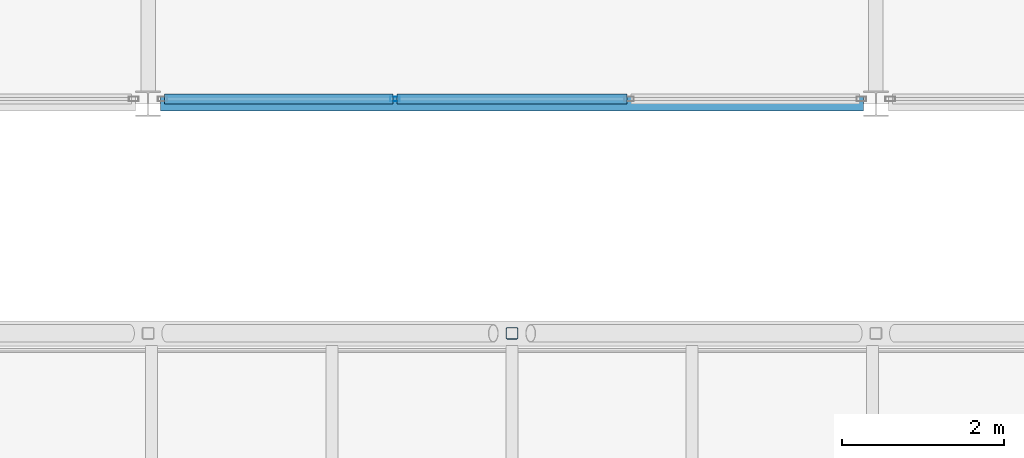
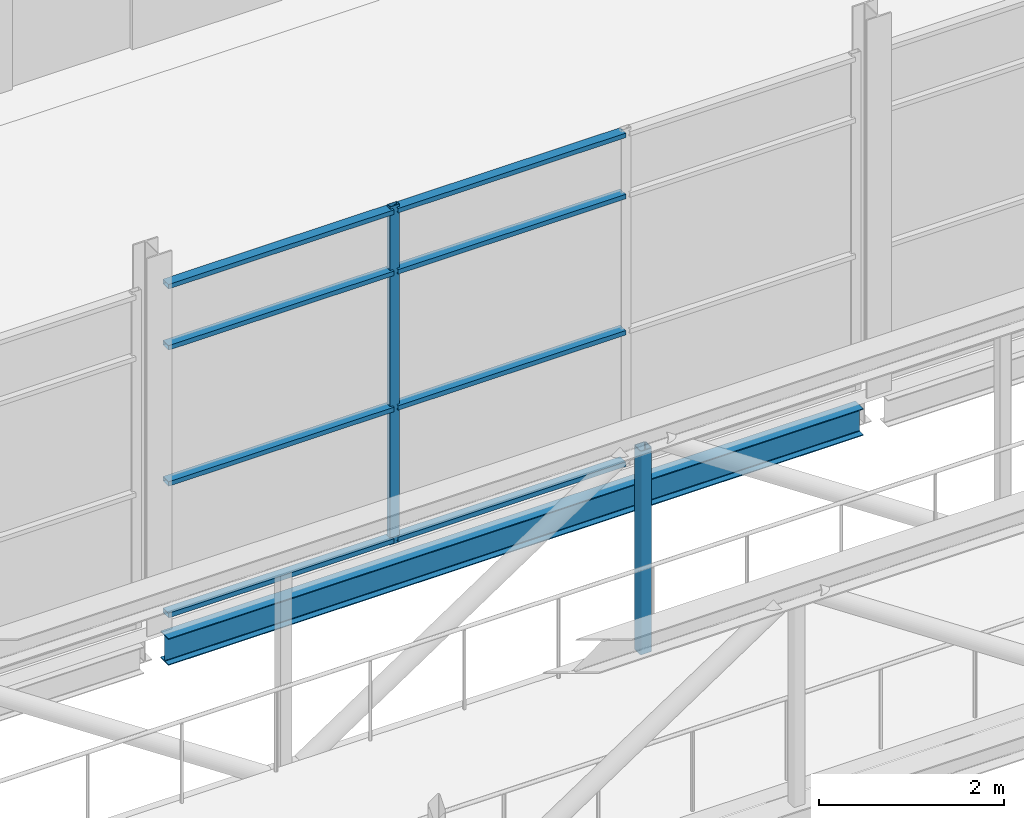
# One storey, part 32 of 94: 10 members, 1 beam, 1 element without a shape of its own.
"""IFC4 building model written with IfcOpenShell, lengths in metres."""

from ifc_helpers import new_model, si_unit, direction, frame, origin, origin_2d, place, context, subcontext, project, spatial, hollow_rectangle, i_section, extrude, material, layer, layer_set, material_profile, profile_set, type_object, element, aggregate, save


model = new_model("IFC4")

# Units and contexts
model_context = context("Model", 3, precision=1e-05, world=origin(), true_north=direction((0.0, 1.0)))
body_context = subcontext(model_context, "Body", "Model", "MODEL_VIEW")
ifc_project = project(units=[si_unit("LENGTHUNIT", "METRE"), si_unit("AREAUNIT", "SQUARE_METRE"), si_unit("VOLUMEUNIT", "CUBIC_METRE"), si_unit("PLANEANGLEUNIT", "RADIAN"), si_unit("MASSUNIT", "GRAM", prefix="KILO")], contexts=[model_context])

# Site, building, storey
site_placement = place(None, origin())
site = spatial("IfcSite", under=ifc_project, at=site_placement, CompositionType="ELEMENT")
building_placement = place(site_placement, origin())
building = spatial("IfcBuilding", under=site, at=building_placement, Name="Shorebreak Coast Museum", CompositionType="ELEMENT")
storey_placement = place(building_placement, frame((0.0, 0.0, 31.0)))
storey = spatial("IfcBuildingStorey", under=building, at=storey_placement, Name="L05", CompositionType="ELEMENT", Elevation=31.0)

# Member
ifc_material_1 = material(Name="Steel Grade C450L0", Category="steel")
ifc_material_profile_1 = material_profile(ifc_material_1, hollow_rectangle(XDim=0.14990234375, YDim=0.14990234375, WallThickness=0.009033203125, InnerFilletRadius=0.013427734375, OuterFilletRadius=0.0224609375, at=origin_2d()), Name="150x150x9.0 SHS")
ifc_profile_set_1 = profile_set([ifc_material_profile_1], Name="Steel Grade C450L0")
member_type_1 = type_object("IfcMemberType", Name="Atrium bridge truss strut 150x150x9.0 SHS", PredefinedType="STRUT", material=ifc_profile_set_1)
member_1_placement = place(storey_placement, frame((85.5, 78.16259765625, -0.175048828125), z_axis=(0.0, 0.0, 1.0), x_axis=(1.0, 0.0, 0.0)))
element("IfcMember", 1, at=member_1_placement, inside=storey, type_object=member_type_1, Name="Atrium bridge truss BR3 side B strut V06", PredefinedType="STRUT", context=body_context, shape_type="SweptSolid", body=[
    extrude(hollow_rectangle(XDim=0.14990234375, YDim=0.14990234375, WallThickness=0.009033203125, InnerFilletRadius=0.013427734375, OuterFilletRadius=0.0224609375, at=origin_2d()), origin(), (0.0, 0.0, 1.0), 2.692138671875),
])

# Beam
ifc_material_2 = material(Name="Steel Grade 300", Category="steel")
ifc_material_profile_2 = material_profile(ifc_material_2, i_section(OverallWidth=0.1708984375, OverallDepth=0.355712890625, WebThickness=0.00732421875, FlangeThickness=0.011474609375, FilletRadius=0.011474609375, at=origin_2d()), Name="360UB50.7")
ifc_profile_set_2 = profile_set([ifc_material_profile_2], Name="Steel Grade 300")
beam_type = type_object("IfcBeamType", Name="Floor girder east-west 360UB50.7", PredefinedType="BEAM", material=ifc_profile_set_2)
beam_placement = place(storey_placement, frame((81.153564453125, 81.0, -0.352783203125), z_axis=(1.0, 0.0, 0.0), x_axis=(0.0, 1.0, 0.0)))
element("IfcBeam", 2, at=beam_placement, inside=storey, type_object=beam_type, Name="Floor girder east-west L05 10K", PredefinedType="BEAM", context=body_context, shape_type="SweptSolid", body=[
    extrude(i_section(OverallWidth=0.1708984375, OverallDepth=0.355712890625, WebThickness=0.00732421875, FlangeThickness=0.011474609375, FilletRadius=0.011474609375, at=origin_2d()), origin(), (0.0, 0.0, 1.0), 8.69287109375),
])

# Curtain wall, members
ifc_material_3 = material(Name="Aluminium", Category="aluminium")
ifc_layer = layer(ifc_material_3, 0.1201171875)
ifc_layer_set = layer_set([ifc_layer], Name="Aluminium")
curtain_wall_type = type_object("IfcCurtainWallType", Name="Atrium fire screen", PredefinedType="NOTDEFINED", material=ifc_layer_set)
curtain_wall_placement = place(storey_placement, origin())
curtain_wall = element("IfcCurtainWall", 3, at=curtain_wall_placement, inside=storey, type_object=curtain_wall_type, Name="Atrium screen L05 N 70", PredefinedType="NOTDEFINED")
ifc_material_4 = material(Name="Aluminium", Category="aluminium")
ifc_material_profile_3 = material_profile(ifc_material_4, hollow_rectangle(XDim=0.06005859375, YDim=0.1201171875, WallThickness=0.00341796875, at=origin_2d()), Name="AL 120x60 RHS")
ifc_profile_set_3 = profile_set([ifc_material_profile_3], Name="Aluminium")
member_type_2 = type_object("IfcMemberType", Name="Screen mullion 50 x 120", PredefinedType="MULLION", material=ifc_profile_set_3)
member_2_placement = place(storey_placement, frame((84.05126953125, 81.06005859375, 0.0), z_axis=(0.0, 0.0, 1.0), x_axis=(0.0, 1.0, 0.0)))
member_2 = element("IfcMember", 4, at=member_2_placement, type_object=member_type_2, Name="CW5 mullion 2", PredefinedType="MULLION", context=body_context, shape_type="SweptSolid", body=[
    extrude(hollow_rectangle(XDim=0.06005859375, YDim=0.1201171875, WallThickness=0.00341796875, at=origin_2d()), origin(), (0.0, 0.0, 1.0), 4.469482421875),
])
ifc_material_5 = material(Name="Aluminium", Category="aluminium")
ifc_material_profile_4 = material_profile(ifc_material_5, hollow_rectangle(XDim=0.1201171875, YDim=0.06005859375, WallThickness=0.00341796875, at=origin_2d()), Name="AL 60x120 RHS")
ifc_profile_set_4 = profile_set([ifc_material_profile_4], Name="Aluminium")
member_type_3 = type_object("IfcMemberType", Name="Screen transom 120 x 50", PredefinedType="USERDEFINED", material=ifc_profile_set_4)
member_3_placement = place(storey_placement, frame((81.20361328125, 81.06005859375, 0.06005859375), z_axis=(1.0, 0.0, 0.0), x_axis=(0.0, 1.0, 0.0)))
member_3 = element("IfcMember", 5, at=member_3_placement, type_object=member_type_3, Name="CW5 transom 1.1", ObjectType="TRANSOM", PredefinedType="USERDEFINED", context=body_context, shape_type="SweptSolid", body=[
    extrude(hollow_rectangle(XDim=0.1201171875, YDim=0.06005859375, WallThickness=0.00341796875, at=origin_2d()), origin(), (0.0, 0.0, 1.0), 2.822509765625),
])
member_4_placement = place(storey_placement, frame((81.20361328125, 81.06005859375, 1.800048828125), z_axis=(1.0, 0.0, 0.0), x_axis=(0.0, 1.0, 0.0)))
member_4 = element("IfcMember", 6, at=member_4_placement, type_object=member_type_3, Name="CW5 transom 1.2", ObjectType="TRANSOM", PredefinedType="USERDEFINED", context=body_context, shape_type="SweptSolid", body=[
    extrude(hollow_rectangle(XDim=0.1201171875, YDim=0.06005859375, WallThickness=0.00341796875, at=origin_2d()), origin(), (0.0, 0.0, 1.0), 2.822509765625),
])
member_5_placement = place(storey_placement, frame((81.20361328125, 81.06005859375, 3.60009765625), z_axis=(1.0, 0.0, 0.0), x_axis=(0.0, 1.0, 0.0)))
member_5 = element("IfcMember", 7, at=member_5_placement, type_object=member_type_3, Name="CW5 transom 1.3", ObjectType="TRANSOM", PredefinedType="USERDEFINED", context=body_context, shape_type="SweptSolid", body=[
    extrude(hollow_rectangle(XDim=0.1201171875, YDim=0.06005859375, WallThickness=0.00341796875, at=origin_2d()), origin(), (0.0, 0.0, 1.0), 2.822509765625),
])
member_6_placement = place(storey_placement, frame((81.20361328125, 81.06005859375, 4.409423828125), z_axis=(1.0, 0.0, 0.0), x_axis=(0.0, 1.0, 0.0)))
member_6 = element("IfcMember", 8, at=member_6_placement, type_object=member_type_3, Name="CW5 transom 1.4", ObjectType="TRANSOM", PredefinedType="USERDEFINED", context=body_context, shape_type="SweptSolid", body=[
    extrude(hollow_rectangle(XDim=0.1201171875, YDim=0.06005859375, WallThickness=0.00341796875, at=origin_2d()), origin(), (0.0, 0.0, 1.0), 2.822509765625),
])
member_7_placement = place(storey_placement, frame((84.076171875, 81.06005859375, 0.06005859375), z_axis=(1.0, 0.0, 0.0), x_axis=(0.0, 1.0, 0.0)))
member_7 = element("IfcMember", 9, at=member_7_placement, type_object=member_type_3, Name="CW5 transom 2.1", ObjectType="TRANSOM", PredefinedType="USERDEFINED", context=body_context, shape_type="SweptSolid", body=[
    extrude(hollow_rectangle(XDim=0.1201171875, YDim=0.06005859375, WallThickness=0.00341796875, at=origin_2d()), origin(), (0.0, 0.0, 1.0), 2.84765625),
])
member_8_placement = place(storey_placement, frame((84.076171875, 81.06005859375, 1.800048828125), z_axis=(1.0, 0.0, 0.0), x_axis=(0.0, 1.0, 0.0)))
member_8 = element("IfcMember", 10, at=member_8_placement, type_object=member_type_3, Name="CW5 transom 2.2", ObjectType="TRANSOM", PredefinedType="USERDEFINED", context=body_context, shape_type="SweptSolid", body=[
    extrude(hollow_rectangle(XDim=0.1201171875, YDim=0.06005859375, WallThickness=0.00341796875, at=origin_2d()), origin(), (0.0, 0.0, 1.0), 2.84765625),
])
member_9_placement = place(storey_placement, frame((84.076171875, 81.06005859375, 3.60009765625), z_axis=(1.0, 0.0, 0.0), x_axis=(0.0, 1.0, 0.0)))
member_9 = element("IfcMember", 11, at=member_9_placement, type_object=member_type_3, Name="CW5 transom 2.3", ObjectType="TRANSOM", PredefinedType="USERDEFINED", context=body_context, shape_type="SweptSolid", body=[
    extrude(hollow_rectangle(XDim=0.1201171875, YDim=0.06005859375, WallThickness=0.00341796875, at=origin_2d()), origin(), (0.0, 0.0, 1.0), 2.84765625),
])
member_10_placement = place(storey_placement, frame((84.076171875, 81.06005859375, 4.409423828125), z_axis=(1.0, 0.0, 0.0), x_axis=(0.0, 1.0, 0.0)))
member_10 = element("IfcMember", 12, at=member_10_placement, type_object=member_type_3, Name="CW5 transom 2.4", ObjectType="TRANSOM", PredefinedType="USERDEFINED", context=body_context, shape_type="SweptSolid", body=[
    extrude(hollow_rectangle(XDim=0.1201171875, YDim=0.06005859375, WallThickness=0.00341796875, at=origin_2d()), origin(), (0.0, 0.0, 1.0), 2.84765625),
])
aggregate(curtain_wall, [member_2, member_3, member_4, member_5, member_6, member_7, member_8, member_9, member_10])

save(model, "model.ifc")
